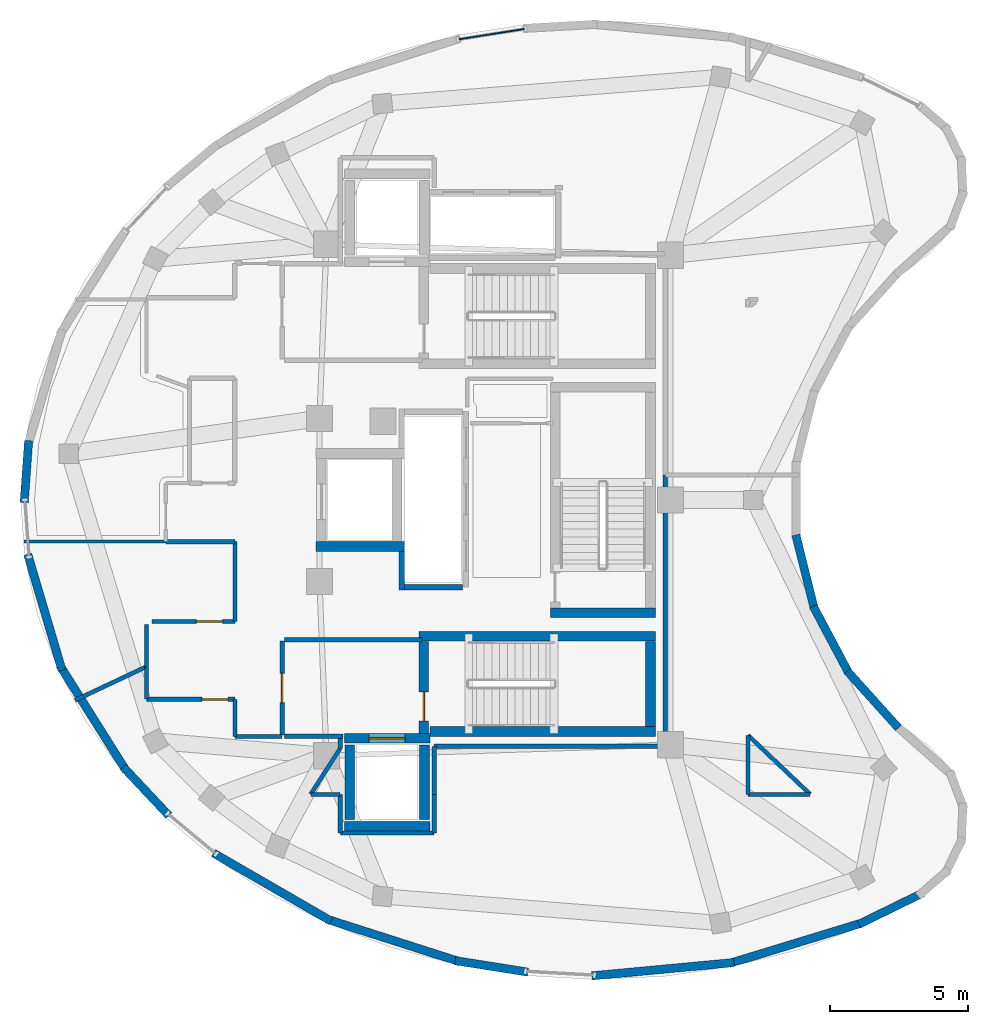
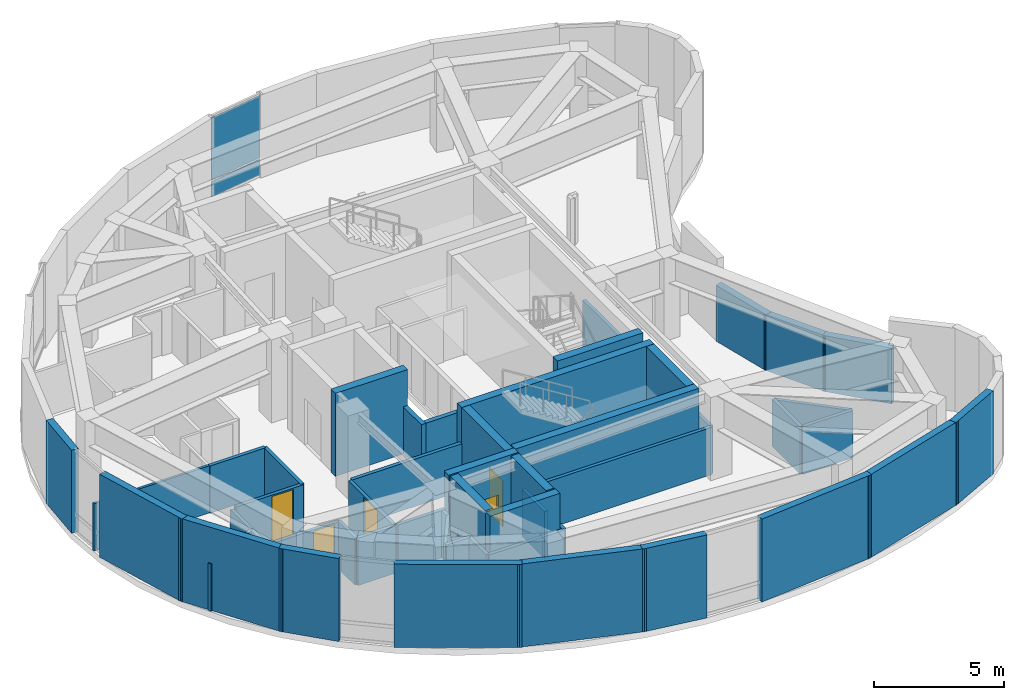
# One storey, part 3 of 6: 50 walls, 5 doors, 2 plates, 5 openings, 1 element without a shape of its own.
"""IFC4 building model written with IfcOpenShell, lengths in metres."""

from ifc_helpers import new_model, si_unit, direction, frame, frame_2d, origin, origin_2d, place, context, subcontext, project, spatial, rectangle, extrude, material, layer, layer_set, type_object, element, fill, aggregate, save


model = new_model("IFC4")

# Units and contexts
model_context = context("Model", 3, precision=1e-05, world=origin(), true_north=direction((0.0, 1.0)))
body_context = subcontext(model_context, "Body", "Model", "MODEL_VIEW")
ifc_project = project(units=[si_unit("LENGTHUNIT", "METRE"), si_unit("AREAUNIT", "SQUARE_METRE"), si_unit("VOLUMEUNIT", "CUBIC_METRE"), si_unit("PLANEANGLEUNIT", "RADIAN"), si_unit("MASSUNIT", "GRAM", prefix="KILO")], contexts=[model_context])

# Site, building, storey
site_placement = place(None, origin())
site = spatial("IfcSite", under=ifc_project, at=site_placement, CompositionType="ELEMENT")
building_placement = place(site_placement, origin())
building = spatial("IfcBuilding", under=site, at=building_placement, Name="Korentha Bioscience Tower", CompositionType="ELEMENT")
storey_placement = place(building_placement, frame((0.0, 0.0, 327.0)))
storey = spatial("IfcBuildingStorey", under=building, at=storey_placement, Name="L75", CompositionType="ELEMENT", Elevation=327.0)

# Curtain wall, plates
ifc_material_1 = material(Name="Structural Silicone Glazed Aluminium", Category="aluminium")
ifc_layer_1 = layer(ifc_material_1, 0.219970703125, Name="Structural Silicone Glazed Aluminium")
ifc_layer_set_1 = layer_set([ifc_layer_1], Name="Structural Silicone Glazed Aluminium (CW-O1)")
curtain_wall_type = type_object("IfcCurtainWallType", Name="Sky Observatory Acoustic Curtain Wall CW-O1", PredefinedType="USERDEFINED", material=ifc_layer_set_1)
curtain_wall_placement = place(storey_placement, origin())
curtain_wall = element("IfcCurtainWall", 1, at=curtain_wall_placement, inside=storey, type_object=curtain_wall_type, Name="L75 Curtain Wall 07", ObjectType="UNITISED", PredefinedType="USERDEFINED")
ifc_material_2 = material(Name="Triple-Glazed Low-E Insulated Glass", Category="glass")
ifc_layer_2 = layer(ifc_material_2, 0.0439453125, Name="Triple-Glazed Low-E Insulated Glass")
ifc_layer_set_2 = layer_set([ifc_layer_2], Name="Triple-Glazed Low-E Insulated Glass (GL-44)")
plate_type = type_object("IfcPlateType", Name="Glazed Panel 44mm", PredefinedType="CURTAIN_PANEL", material=ifc_layer_set_2)
plate_1_placement = place(storey_placement, frame((31.07666015625, 43.851318359375, 0.08984375), z_axis=(0.0, 0.0, 1.0), x_axis=(-0.987779298439, -0.155859095258, 0.0)))
plate_1 = element("IfcPlate", 2, at=plate_1_placement, type_object=plate_type, Name="CW-L75-07 Bay 1 Glazed Panel 1", PredefinedType="CURTAIN_PANEL", context=body_context, shape_type="SweptSolid", body=[
    extrude(rectangle(XDim=2.400390625, YDim=0.0439453125, at=origin_2d()), origin(), (0.0, 0.0, 1.0), 0.715087890625),
])
plate_2_placement = place(storey_placement, frame((31.07666015625, 43.851318359375, 0.89501953125), z_axis=(0.0, 0.0, 1.0), x_axis=(-0.987779298439, -0.155859095258, 0.0)))
plate_2 = element("IfcPlate", 3, at=plate_2_placement, type_object=plate_type, Name="CW-L75-07 Bay 1 Glazed Panel 2", PredefinedType="CURTAIN_PANEL", context=body_context, shape_type="SweptSolid", body=[
    extrude(rectangle(XDim=2.400390625, YDim=0.0439453125, at=origin_2d()), origin(), (0.0, 0.0, 1.0), 2.9150390625),
])
aggregate(curtain_wall, [plate_1, plate_2])

# Wall, opening, door
ifc_material_3 = material(Name="Double-Stud Acoustic Gypsum", Category="gypsum")
ifc_layer_3 = layer(ifc_material_3, 0.14990234375, Name="Double-Stud Acoustic Gypsum")
ifc_layer_set_3 = layer_set([ifc_layer_3], Name="Double-Stud Acoustic Gypsum (IW-L150)")
wall_type_1 = type_object("IfcWallType", Name="Acoustic Laboratory Partition Wall 150", PredefinedType="PARTITIONING", material=ifc_layer_set_3)
wall_1_placement = place(storey_placement, frame((21.7900390625, 22.610107421875, 0.0), z_axis=(0.0, 0.0, 1.0), x_axis=(-1.0, 0.0, 0.0)))
wall_1 = element("IfcWall", 4, at=wall_1_placement, inside=storey, type_object=wall_type_1, Name="L75 Research Colloquium Seminar Room 02 Entrance Wall", PredefinedType="PARTITIONING", context=body_context, shape_type="SweptSolid", body=[
    extrude(rectangle(XDim=2.989990234375, YDim=0.14990234375, at=frame_2d((1.4951171875, 0.0))), origin(), (0.0, 0.0, 1.0), 2.219970703125),
])
opening_1_placement = place(wall_1_placement, frame((0.44677734375, 0.0, 0.0)))
opening_1 = element("IfcOpeningElement", 5, at=opening_1_placement, cuts=wall_1, Name="Opening ID-10L", PredefinedType="OPENING", context=body_context, shape_type="SweptSolid", body=[
    extrude(rectangle(XDim=0.949951171875, YDim=2.14990234375, at=frame_2d((0.47509765625, 1.074951171875))), frame((0.0, 0.08984375, 0.0), z_axis=(0.0, -1.0, 0.0), x_axis=(1.0, 0.0, 0.0)), (0.0, 0.0, 1.0), 0.1796875),
])
ifc_material_4 = material(Name="Phenolic Laminate Timber Core", Category="wood")
door_type_1 = type_object("IfcDoorType", Name="Laboratory Single Leaf Door 950x2150 Left", OperationType="SINGLE_SWING_LEFT", PredefinedType="DOOR", material=ifc_material_4)
door_1_placement = place(opening_1_placement, origin())
door_1 = element("IfcDoor", 6, at=door_1_placement, inside=storey, type_object=door_type_1, Name="L75 Research Colloquium Seminar Room 02 Door", OperationType="SINGLE_SWING_LEFT", OverallHeight=2.14990234375, OverallWidth=0.949951171875, PredefinedType="DOOR", context=body_context, shape_type="SweptSolid", body=[
    extrude(rectangle(XDim=0.949951171875, YDim=2.14990234375, at=frame_2d((0.47509765625, 1.074951171875))), frame((0.0, 0.02490234375, 0.0), z_axis=(0.0, -1.0, 0.0), x_axis=(1.0, 0.0, 0.0)), (0.0, 0.0, 1.0), 0.050048828125),
])
fill(opening_1, door_1)

wall_2_placement = place(storey_placement, frame((18.60009765625, 19.7900390625, 0.0), z_axis=(0.0, 0.0, 1.0), x_axis=(1.0, 0.0, 0.0)))
wall_2 = element("IfcWall", 7, at=wall_2_placement, inside=storey, type_object=wall_type_1, Name="L75 Staff Pantry Kitchenette 03 Entrance Wall", PredefinedType="PARTITIONING", context=body_context, shape_type="SweptSolid", body=[
    extrude(rectangle(XDim=3.18994140625, YDim=0.14990234375, at=frame_2d((1.594970703125, 0.0))), origin(), (0.0, 0.0, 1.0), 2.219970703125),
])
opening_2_placement = place(wall_2_placement, frame((2.0, 0.0, 0.0)))
opening_2 = element("IfcOpeningElement", 8, at=opening_2_placement, cuts=wall_2, Name="Opening ID-10R", PredefinedType="OPENING", context=body_context, shape_type="SweptSolid", body=[
    extrude(rectangle(XDim=0.949951171875, YDim=2.14990234375, at=frame_2d((0.47509765625, 1.074951171875))), frame((0.0, 0.08984375, 0.0), z_axis=(0.0, -1.0, 0.0), x_axis=(1.0, 0.0, 0.0)), (0.0, 0.0, 1.0), 0.1796875),
])
door_type_2 = type_object("IfcDoorType", Name="Laboratory Single Leaf Door 950x2150 Right", OperationType="SINGLE_SWING_RIGHT", PredefinedType="DOOR", material=ifc_material_4)
door_2_placement = place(opening_2_placement, origin())
door_2 = element("IfcDoor", 9, at=door_2_placement, inside=storey, type_object=door_type_2, Name="L75 Staff Pantry Kitchenette 03 Door", OperationType="SINGLE_SWING_RIGHT", OverallHeight=2.14990234375, OverallWidth=0.949951171875, PredefinedType="DOOR", context=body_context, shape_type="SweptSolid", body=[
    extrude(rectangle(XDim=0.949951171875, YDim=2.14990234375, at=frame_2d((0.47509765625, 1.074951171875))), frame((0.0, 0.02490234375, 0.0), z_axis=(0.0, -1.0, 0.0), x_axis=(1.0, 0.0, 0.0)), (0.0, 0.0, 1.0), 0.050048828125),
])
fill(opening_2, door_2)

# Walls
wall_3_placement = place(storey_placement, frame((19.300048828125, 25.489990234375, 0.0), z_axis=(0.0, 0.0, 1.0), x_axis=(1.0, 0.0, 0.0)))
element("IfcWall", 10, at=wall_3_placement, inside=storey, type_object=wall_type_1, Name="L75 Interior Partition 018", PredefinedType="PARTITIONING", context=body_context, shape_type="SweptSolid", body=[
    extrude(rectangle(XDim=2.489990234375, YDim=0.14990234375, at=frame_2d((1.2451171875, 0.0))), origin(), (0.0, 0.0, 1.0), 2.219970703125),
])
wall_4_placement = place(storey_placement, frame((21.7900390625, 25.489990234375, 0.0), z_axis=(0.0, 0.0, 1.0), x_axis=(0.0, -1.0, 0.0)))
element("IfcWall", 11, at=wall_4_placement, inside=storey, type_object=wall_type_1, Name="L75 Interior Partition 019", PredefinedType="PARTITIONING", context=body_context, shape_type="SweptSolid", body=[
    extrude(rectangle(XDim=2.8798828125, YDim=0.14990234375, at=frame_2d((1.43994140625, 0.0))), origin(), (0.0, 0.0, 1.0), 2.219970703125),
])
wall_5_placement = place(storey_placement, frame((18.590087890625, 22.5, 0.0), z_axis=(0.0, 0.0, 1.0), x_axis=(0.0, -1.0, 0.0)))
element("IfcWall", 12, at=wall_5_placement, inside=storey, type_object=wall_type_1, Name="L75 Interior Partition 020", PredefinedType="PARTITIONING", context=body_context, shape_type="SweptSolid", body=[
    extrude(rectangle(XDim=1.52783203125, YDim=0.14990234375, at=frame_2d((0.763916015625, 0.0))), origin(), (0.0, 0.0, 1.0), 2.219970703125),
])
wall_6_placement = place(storey_placement, frame((18.590087890625, 20.97216796875, 0.0), z_axis=(0.0, 0.0, 1.0), x_axis=(-0.904490755002, -0.426493228687, 0.0)))
element("IfcWall", 13, at=wall_6_placement, inside=storey, type_object=wall_type_1, Name="L75 Interior Partition 021", PredefinedType="PARTITIONING", context=body_context, shape_type="SweptSolid", body=[
    extrude(rectangle(XDim=2.853515625, YDim=0.14990234375, at=frame_2d((1.4267578125, 0.0))), origin(), (0.0, 0.0, 1.0), 2.219970703125),
])
wall_7_placement = place(storey_placement, frame((25.60009765625, 18.366943359375, 0.0), z_axis=(0.0, 0.0, 1.0), x_axis=(0.0, -1.0, 0.0)))
element("IfcWall", 14, at=wall_7_placement, inside=storey, type_object=wall_type_1, Name="L75 Interior Partition 022", PredefinedType="PARTITIONING", context=body_context, shape_type="SweptSolid", body=[
    extrude(rectangle(XDim=0.3515625, YDim=0.14990234375, at=frame_2d((0.17578125, 0.0))), origin(), (0.0, 0.0, 1.0), 2.219970703125),
])
wall_8_placement = place(storey_placement, frame((25.599853515625, 18.01513671875, 0.0), z_axis=(0.0, 0.0, 1.0), x_axis=(-0.540901303045, -0.841086071912, 0.0)))
element("IfcWall", 15, at=wall_8_placement, inside=storey, type_object=wall_type_1, Name="L75 Interior Partition 023", PredefinedType="PARTITIONING", context=body_context, shape_type="SweptSolid", body=[
    extrude(rectangle(XDim=1.974609375, YDim=0.14990234375, at=frame_2d((0.9873046875, 0.0))), origin(), (0.0, 0.0, 1.0), 2.219970703125),
])
wall_9_placement = place(storey_placement, frame((24.53515625, 16.347900390625, 0.0), z_axis=(0.0, 0.0, 1.0), x_axis=(1.0, 0.0, 0.0)))
element("IfcWall", 16, at=wall_9_placement, inside=storey, type_object=wall_type_1, Name="L75 Interior Partition 024", PredefinedType="PARTITIONING", context=body_context, shape_type="SweptSolid", body=[
    extrude(rectangle(XDim=1.064697265625, YDim=0.14990234375, at=frame_2d((0.5322265625, 0.0))), origin(), (0.0, 0.0, 1.0), 2.219970703125),
])
wall_10_placement = place(storey_placement, frame((25.60009765625, 16.347900390625, 0.0), z_axis=(0.0, 0.0, 1.0), x_axis=(0.0, -1.0, 0.0)))
element("IfcWall", 17, at=wall_10_placement, inside=storey, type_object=wall_type_1, Name="L75 Interior Partition 025", PredefinedType="PARTITIONING", context=body_context, shape_type="SweptSolid", body=[
    extrude(rectangle(XDim=1.393798828125, YDim=0.14990234375, at=frame_2d((0.69677734375, 0.0))), origin(), (0.0, 0.0, 1.0), 2.219970703125),
])
wall_11_placement = place(storey_placement, frame((25.60400390625, 14.949951171875, 0.0), z_axis=(0.0, 0.0, 1.0), x_axis=(1.0, 0.0, 0.0)))
element("IfcWall", 18, at=wall_11_placement, inside=storey, type_object=wall_type_1, Name="L75 Interior Partition 026", PredefinedType="PARTITIONING", context=body_context, shape_type="SweptSolid", body=[
    extrude(rectangle(XDim=3.391845703125, YDim=0.14990234375, at=frame_2d((1.69580078125, 0.0))), origin(), (0.0, 0.0, 1.0), 2.219970703125),
])
wall_12_placement = place(storey_placement, frame((29.0, 14.9541015625, 0.0), z_axis=(0.0, 0.0, 1.0), x_axis=(0.0, 1.0, 0.0)))
element("IfcWall", 19, at=wall_12_placement, inside=storey, type_object=wall_type_1, Name="L75 Interior Partition 027", PredefinedType="PARTITIONING", context=body_context, shape_type="SweptSolid", body=[
    extrude(rectangle(XDim=1.393798828125, YDim=0.14990234375, at=frame_2d((0.69677734375, 0.0))), origin(), (0.0, 0.0, 1.0), 2.219970703125),
])
wall_13_placement = place(storey_placement, frame((29.0, 16.352294921875, 0.0), z_axis=(0.0, 0.0, 1.0), x_axis=(0.0, 1.0, 0.0)))
element("IfcWall", 20, at=wall_13_placement, inside=storey, type_object=wall_type_1, Name="L75 Interior Partition 028", PredefinedType="PARTITIONING", context=body_context, shape_type="SweptSolid", body=[
    extrude(rectangle(XDim=1.73779296875, YDim=0.14990234375, at=frame_2d((0.868896484375, 0.0))), origin(), (0.0, 0.0, 1.0), 2.219970703125),
])
wall_14_placement = place(storey_placement, frame((29.0, 18.090087890625, 0.0), z_axis=(0.0, 0.0, 1.0), x_axis=(1.0, 0.0, 0.0)))
element("IfcWall", 21, at=wall_14_placement, inside=storey, type_object=wall_type_1, Name="L75 Interior Partition 029", PredefinedType="PARTITIONING", context=body_context, shape_type="SweptSolid", body=[
    extrude(rectangle(XDim=8.35009765625, YDim=0.14990234375, at=frame_2d((4.175048828125, 0.0))), origin(), (0.0, 0.0, 1.0), 2.219970703125),
])
wall_15_placement = place(storey_placement, frame((37.360107421875, 18.10009765625, 0.0), z_axis=(0.0, 0.0, 1.0), x_axis=(0.0, 1.0, 0.0)))
element("IfcWall", 22, at=wall_15_placement, inside=storey, type_object=wall_type_1, Name="L75 Interior Partition 030", PredefinedType="PARTITIONING", context=body_context, shape_type="SweptSolid", body=[
    extrude(rectangle(XDim=9.7978515625, YDim=0.14990234375, at=frame_2d((4.89892578125, 0.0))), origin(), (0.0, 0.0, 1.0), 2.219970703125),
])
wall_16_placement = place(storey_placement, frame((18.590087890625, 20.9609375, 0.0), z_axis=(0.0, 0.0, 1.0), x_axis=(0.0, -1.0, 0.0)))
element("IfcWall", 23, at=wall_16_placement, inside=storey, type_object=wall_type_1, Name="L75 Interior Partition 033", PredefinedType="PARTITIONING", context=body_context, shape_type="SweptSolid", body=[
    extrude(rectangle(XDim=1.160888671875, YDim=0.14990234375, at=frame_2d((0.58056640625, 0.0))), origin(), (0.0, 0.0, 1.0), 2.219970703125),
])
wall_17_placement = place(storey_placement, frame((21.7900390625, 19.7900390625, 0.0), z_axis=(0.0, 0.0, 1.0), x_axis=(0.0, -1.0, 0.0)))
element("IfcWall", 24, at=wall_17_placement, inside=storey, type_object=wall_type_1, Name="L75 Interior Partition 034", PredefinedType="PARTITIONING", context=body_context, shape_type="SweptSolid", body=[
    extrude(rectangle(XDim=1.340087890625, YDim=0.14990234375, at=frame_2d((0.669921875, 0.0))), origin(), (0.0, 0.0, 1.0), 2.219970703125),
])
wall_18_placement = place(storey_placement, frame((21.800048828125, 18.43994140625, 0.0), z_axis=(0.0, 0.0, 1.0), x_axis=(1.0, 0.0, 0.0)))
element("IfcWall", 25, at=wall_18_placement, inside=storey, type_object=wall_type_1, Name="L75 Interior Partition 035", PredefinedType="PARTITIONING", context=body_context, shape_type="SweptSolid", body=[
    extrude(rectangle(XDim=1.68994140625, YDim=0.14990234375, at=frame_2d((0.844970703125, 0.0))), origin(), (0.0, 0.0, 1.0), 2.219970703125),
])
wall_19_placement = place(storey_placement, frame((40.352294921875, 16.347900390625, 0.0), z_axis=(0.0, 0.0, 1.0), x_axis=(1.0, 0.0, 0.0)))
element("IfcWall", 26, at=wall_19_placement, inside=storey, type_object=wall_type_1, Name="L75 Interior Partition 036", PredefinedType="PARTITIONING", context=body_context, shape_type="SweptSolid", body=[
    extrude(rectangle(XDim=2.2451171875, YDim=0.14990234375, at=frame_2d((1.12255859375, 0.0))), origin(), (0.0, 0.0, 1.0), 2.219970703125),
])
wall_20_placement = place(storey_placement, frame((42.600341796875, 16.35498046875, 0.0), z_axis=(0.0, 0.0, 1.0), x_axis=(-0.725397055843, 0.688330670081, 0.0)))
element("IfcWall", 27, at=wall_20_placement, inside=storey, type_object=wall_type_1, Name="L75 Interior Partition 037", PredefinedType="PARTITIONING", context=body_context, shape_type="SweptSolid", body=[
    extrude(rectangle(XDim=3.095703125, YDim=0.14990234375, at=frame_2d((1.5478515625, 0.0))), origin(), (0.0, 0.0, 1.0), 2.219970703125),
])
wall_21_placement = place(storey_placement, frame((40.347900390625, 18.48291015625, 0.0), z_axis=(0.0, 0.0, 1.0), x_axis=(0.0, -1.0, 0.0)))
element("IfcWall", 28, at=wall_21_placement, inside=storey, type_object=wall_type_1, Name="L75 Interior Partition 038", PredefinedType="PARTITIONING", context=body_context, shape_type="SweptSolid", body=[
    extrude(rectangle(XDim=2.130615234375, YDim=0.14990234375, at=frame_2d((1.0654296875, 0.0))), origin(), (0.0, 0.0, 1.0), 2.219970703125),
])
ifc_material_5 = material(Name="Fire-Rated Framed Glass", Category="glass")
ifc_layer_4 = layer(ifc_material_5, 0.110107421875, Name="Fire-Rated Framed Glass")
ifc_layer_set_4 = layer_set([ifc_layer_4], Name="Fire-Rated Framed Glass (IW-G110)")
wall_type_2 = type_object("IfcWallType", Name="Demountable Glazed Office Partition 110", PredefinedType="MOVABLE", material=ifc_layer_set_4)
wall_22_placement = place(storey_placement, frame((19.2900390625, 25.5029296875, 0.0), z_axis=(0.0, 0.0, 1.0), x_axis=(-1.0, 0.0, 0.0)))
element("IfcWall", 29, at=wall_22_placement, inside=storey, type_object=wall_type_2, Name="L75 Interior Partition 017", PredefinedType="MOVABLE", context=body_context, shape_type="SweptSolid", body=[
    extrude(rectangle(XDim=5.12744140625, YDim=0.110107421875, at=frame_2d((2.563720703125, 0.0))), origin(), (0.0, 0.0, 1.0), 2.219970703125),
])

# Wall, opening, door
ifc_material_6 = material(Name="Gypsum-Clad Steel Stud", Category="steel")
ifc_layer_5 = layer(ifc_material_6, 0.159912109375, Name="Gypsum-Clad Steel Stud")
ifc_layer_set_5 = layer_set([ifc_layer_5], Name="Gypsum-Clad Steel Stud (IW-C160)")
wall_type_3 = type_object("IfcWallType", Name="Fire-Rated Corridor Partition Wall 160", PredefinedType="PARTITIONING", material=ifc_layer_set_5)
wall_23_placement = place(storey_placement, frame((23.5, 18.5, 0.0), z_axis=(0.0, 0.0, 1.0), x_axis=(0.0, 1.0, 0.0)))
wall_23 = element("IfcWall", 30, at=wall_23_placement, inside=storey, type_object=wall_type_3, Name="L75 FFLS-CW Rated Enclosure Wall", PredefinedType="PARTITIONING", context=body_context, shape_type="SweptSolid", body=[
    extrude(rectangle(XDim=3.39990234375, YDim=0.159912109375, at=frame_2d((1.699951171875, 0.0))), origin(), (0.0, 0.0, 1.0), 2.219970703125),
])
opening_3_placement = place(wall_23_placement, frame((1.175048828125, 0.0, 0.0)))
opening_3 = element("IfcOpeningElement", 31, at=opening_3_placement, cuts=wall_23, Name="Opening FD-90R", PredefinedType="OPENING", context=body_context, shape_type="SweptSolid", body=[
    extrude(rectangle(XDim=1.050048828125, YDim=2.14990234375, at=frame_2d((0.52490234375, 1.074951171875))), frame((0.0, 0.0947265625, 0.0), z_axis=(0.0, -1.0, 0.0), x_axis=(1.0, 0.0, 0.0)), (0.0, 0.0, 1.0), 0.189697265625),
])
ifc_material_7 = material(Name="Powder-Coated Fire-Rated Steel", Category="steel")
door_type_3 = type_object("IfcDoorType", Name="Stairwell Fire Exit Door 1050x2150 Right", OperationType="SINGLE_SWING_RIGHT", PredefinedType="DOOR", material=ifc_material_7)
door_3_placement = place(opening_3_placement, origin())
door_3 = element("IfcDoor", 32, at=door_3_placement, inside=storey, type_object=door_type_3, Name="L75 South Firefighting Lobby Door", OperationType="SINGLE_SWING_RIGHT", OverallHeight=2.14990234375, OverallWidth=1.050048828125, PredefinedType="DOOR", context=body_context, shape_type="SweptSolid", body=[
    extrude(rectangle(XDim=1.050048828125, YDim=2.14990234375, at=frame_2d((0.52490234375, 1.074951171875))), frame((0.0, 0.02490234375, 0.0), z_axis=(0.0, -1.0, 0.0), x_axis=(1.0, 0.0, 0.0)), (0.0, 0.0, 1.0), 0.050048828125),
])
fill(opening_3, door_3)

# Walls
wall_24_placement = place(storey_placement, frame((23.580078125, 21.949951171875, 0.0), z_axis=(0.0, 0.0, 1.0), x_axis=(1.0, 0.0, 0.0)))
element("IfcWall", 33, at=wall_24_placement, inside=storey, type_object=wall_type_3, Name="L75 Firefighting Lobby Return Wall FFLS-N", PredefinedType="PARTITIONING", context=body_context, shape_type="SweptSolid", body=[
    extrude(rectangle(XDim=4.969970703125, YDim=0.159912109375, at=frame_2d((2.48486328125, 0.0))), origin(), (0.0, 0.0, 1.0), 2.219970703125),
])
wall_25_placement = place(storey_placement, frame((23.580078125, 18.449951171875, 0.0), z_axis=(0.0, 0.0, 1.0), x_axis=(1.0, 0.0, 0.0)))
element("IfcWall", 34, at=wall_25_placement, inside=storey, type_object=wall_type_3, Name="L75 Firefighting Lobby Return Wall FFLS-S", PredefinedType="PARTITIONING", context=body_context, shape_type="SweptSolid", body=[
    extrude(rectangle(XDim=2.119873046875, YDim=0.159912109375, at=frame_2d((1.06005859375, 0.0))), origin(), (0.0, 0.0, 1.0), 2.219970703125),
])
ifc_material_8 = material(Name="Honed Limestone Precast Concrete C40", Category="masonry")
ifc_layer_6 = layer(ifc_material_8, 0.300048828125, Name="Honed Limestone Precast Concrete C40")
ifc_layer_set_6 = layer_set([ifc_layer_6], Name="Honed Limestone Precast Concrete C40 (EW-ST300)")
wall_type_4 = type_object("IfcWallType", Name="Honed Limestone Cavity Spandrel Wall 300", PredefinedType="STANDARD", material=ifc_layer_set_6)
wall_26_placement = place(storey_placement, frame((14.32958984375, 29.150146484375, 0.0), z_axis=(0.0, 0.0, 1.0), x_axis=(-0.072398070171, -0.997375816548, 0.0)))
element("IfcWall", 35, at=wall_26_placement, inside=storey, type_object=wall_type_4, Name="L75 Limestone Perimeter Closure Wall 18", PredefinedType="STANDARD", context=body_context, shape_type="SweptSolid", body=[
    extrude(rectangle(XDim=2.245849609375, YDim=0.300048828125, at=frame_2d((1.123046875, 0.0))), origin(), (0.0, 0.0, 1.0), 3.89990234375),
])
wall_27_placement = place(storey_placement, frame((14.2958984375, 25.035888671875, 0.0), z_axis=(0.0, 0.0, 1.0), x_axis=(0.28362844186, -0.958934255811, 0.0)))
element("IfcWall", 36, at=wall_27_placement, inside=storey, type_object=wall_type_4, Name="L75 Limestone Perimeter Closure Wall 20", PredefinedType="STANDARD", context=body_context, shape_type="SweptSolid", body=[
    extrude(rectangle(XDim=4.37451171875, YDim=0.300048828125, at=frame_2d((2.187255859375, 0.0))), origin(), (0.0, 0.0, 1.0), 3.89990234375),
])
wall_28_placement = place(storey_placement, frame((15.45556640625, 21.0205078125, 0.0), z_axis=(0.0, 0.0, 1.0), x_axis=(0.532667112983, -0.846324847057, 0.0)))
element("IfcWall", 37, at=wall_28_placement, inside=storey, type_object=wall_type_4, Name="L75 Limestone Perimeter Closure Wall 22", PredefinedType="STANDARD", context=body_context, shape_type="SweptSolid", body=[
    extrude(rectangle(XDim=4.519287109375, YDim=0.300048828125, at=frame_2d((2.259765625, 0.0))), origin(), (0.0, 0.0, 1.0), 3.89990234375),
])
wall_29_placement = place(storey_placement, frame((17.7490234375, 17.343017578125, 0.0), z_axis=(0.0, 0.0, 1.0), x_axis=(0.684421657723, -0.729086410818, 0.0)))
element("IfcWall", 38, at=wall_29_placement, inside=storey, type_object=wall_type_4, Name="L75 Limestone Perimeter Closure Wall 24", PredefinedType="STANDARD", context=body_context, shape_type="SweptSolid", body=[
    extrude(rectangle(XDim=2.416015625, YDim=0.300048828125, at=frame_2d((1.2080078125, 0.0))), origin(), (0.0, 0.0, 1.0), 3.89990234375),
])
wall_30_placement = place(storey_placement, frame((21.017578125, 14.2255859375, 0.0), z_axis=(0.0, 0.0, 1.0), x_axis=(0.865775178968, -0.500433151863, 0.0)))
element("IfcWall", 39, at=wall_30_placement, inside=storey, type_object=wall_type_4, Name="L75 Limestone Perimeter Closure Wall 26", PredefinedType="STANDARD", context=body_context, shape_type="SweptSolid", body=[
    extrude(rectangle(XDim=4.915771484375, YDim=0.300048828125, at=frame_2d((2.4580078125, 0.0))), origin(), (0.0, 0.0, 1.0), 3.89990234375),
])
wall_31_placement = place(storey_placement, frame((25.1005859375, 11.842041015625, 0.0), z_axis=(0.0, 0.0, 1.0), x_axis=(0.952418563318, -0.304793176183, 0.0)))
element("IfcWall", 40, at=wall_31_placement, inside=storey, type_object=wall_type_4, Name="L75 Limestone Perimeter Closure Wall 28", PredefinedType="STANDARD", context=body_context, shape_type="SweptSolid", body=[
    extrude(rectangle(XDim=5.07666015625, YDim=0.300048828125, at=frame_2d((2.538330078125, 0.0))), origin(), (0.0, 0.0, 1.0), 3.89990234375),
])
wall_32_placement = place(storey_placement, frame((29.759521484375, 10.33642578125, 0.0), z_axis=(0.0, 0.0, 1.0), x_axis=(0.987773378884, -0.155896606663, 0.0)))
element("IfcWall", 41, at=wall_32_placement, inside=storey, type_object=wall_type_4, Name="L75 Limestone Perimeter Closure Wall 30", PredefinedType="STANDARD", context=body_context, shape_type="SweptSolid", body=[
    extrude(rectangle(XDim=2.66064453125, YDim=0.300048828125, at=frame_2d((1.330322265625, 0.0))), origin(), (0.0, 0.0, 1.0), 3.89990234375),
])
wall_33_placement = place(storey_placement, frame((34.70263671875, 9.786376953125, 0.0), z_axis=(0.0, 0.0, 1.0), x_axis=(0.995644917658, 0.093226594605, 0.0)))
element("IfcWall", 42, at=wall_33_placement, inside=storey, type_object=wall_type_4, Name="L75 Limestone Perimeter Closure Wall 32", PredefinedType="STANDARD", context=body_context, shape_type="SweptSolid", body=[
    extrude(rectangle(XDim=5.16943359375, YDim=0.300048828125, at=frame_2d((2.584716796875, 0.0))), origin(), (0.0, 0.0, 1.0), 3.89990234375),
])
wall_34_placement = place(storey_placement, frame((39.665771484375, 10.232177734375, 0.0), z_axis=(0.0, 0.0, 1.0), x_axis=(0.956396659888, 0.292070931377, 0.0)))
element("IfcWall", 43, at=wall_34_placement, inside=storey, type_object=wall_type_4, Name="L75 Limestone Perimeter Closure Wall 34", PredefinedType="STANDARD", context=body_context, shape_type="SweptSolid", body=[
    extrude(rectangle(XDim=5.084716796875, YDim=0.300048828125, at=frame_2d((2.54248046875, 0.0))), origin(), (0.0, 0.0, 1.0), 3.89990234375),
])
wall_35_placement = place(storey_placement, frame((44.35986328125, 11.650390625, 0.0), z_axis=(0.0, 0.0, 1.0), x_axis=(0.898175231678, 0.439637638515, 0.0)))
element("IfcWall", 44, at=wall_35_placement, inside=storey, type_object=wall_type_4, Name="L75 Limestone Perimeter Closure Wall 36", PredefinedType="STANDARD", context=body_context, shape_type="SweptSolid", body=[
    extrude(rectangle(XDim=2.570556640625, YDim=0.300048828125, at=frame_2d((1.28515625, 0.0))), origin(), (0.0, 0.0, 1.0), 3.89990234375),
])
for number, where, z_axis, x_axis, name in (
    (45, (45.798095703125, 18.7509765625, 0.0), (0.0, 0.0, 1.0), (-0.669139714478, 0.743136624389, 0.0), "L75 Limestone Perimeter Closure Wall 43"),
    (46, (44.012939453125, 20.710693359375, 0.0), (0.0, 0.0, 1.0), (-0.469423260296, 0.882973274053, 0.0), "L75 Limestone Perimeter Closure Wall 45"),
    (47, (42.755126953125, 23.044189453125, 0.0), (0.0, 0.0, 1.0), (-0.241873086834, 0.970307894364, 0.0), "L75 Limestone Perimeter Closure Wall 47"),
):
    element("IfcWall", number, at=place(storey_placement, frame(where, z_axis=z_axis, x_axis=x_axis)), inside=storey, type_object=wall_type_4, Name=name, PredefinedType="STANDARD", context=body_context, shape_type="SweptSolid", body=[
        extrude(rectangle(XDim=2.774658203125, YDim=0.300048828125, at=frame_2d((1.38720703125, 0.0))), origin(), (0.0, 0.0, 1.0), 2.625),
    ])
ifc_material_9 = material(Name="Autoclaved Aerated Concrete Block C25", Category="concrete")
ifc_layer_7 = layer(ifc_material_9, 0.199951171875, Name="Autoclaved Aerated Concrete Block C25")
ifc_layer_set_7 = layer_set([ifc_layer_7], Name="Autoclaved Aerated Concrete Block C25 (IW-S200)")
wall_type_5 = type_object("IfcWallType", Name="Lift and Riser Shaft Enclosure Wall 200", PredefinedType="PARTITIONING", material=ifc_layer_set_7)
wall_36_placement = place(storey_placement, frame((27.830078125, 23.75, 0.0), z_axis=(0.0, 0.0, 1.0), x_axis=(0.0, 1.0, 0.0)))
element("IfcWall", 48, at=wall_36_placement, inside=storey, type_object=wall_type_5, Name="L75 Lift Bank HIGH Shaft Wall -XS", PredefinedType="PARTITIONING", context=body_context, shape_type="SweptSolid", body=[
    extrude(rectangle(XDim=1.39111328125, YDim=0.199951171875, at=frame_2d((0.695556640625, 0.0))), origin(), (0.0, 0.0, 1.0), 2.219970703125),
])
wall_37_placement = place(storey_placement, frame((27.93408203125, 23.85009765625, 0.0), z_axis=(0.0, 0.0, 1.0), x_axis=(1.0, 0.0, 0.0)))
element("IfcWall", 49, at=wall_37_placement, inside=storey, type_object=wall_type_5, Name="L75 Lift Bank HIGH Shaft Wall -Y", PredefinedType="PARTITIONING", context=body_context, shape_type="SweptSolid", body=[
    extrude(rectangle(XDim=2.095947265625, YDim=0.199951171875, at=frame_2d((1.0478515625, 0.0))), origin(), (0.0, 0.0, 1.0), 2.219970703125),
])
ifc_material_10 = material(Name="Concrete C50", Category="concrete")
ifc_layer_8 = layer(ifc_material_10, 0.35009765625, Name="Concrete C50")
ifc_layer_set_8 = layer_set([ifc_layer_8], Name="Concrete C50 (CW-C50)")
wall_type_6 = type_object("IfcWallType", Name="Upper Core Shear Wall 350", PredefinedType="SHEAR", material=ifc_layer_set_8)
wall_38_placement = place(storey_placement, frame((28.85205078125, 18.625, 0.0), z_axis=(0.0, 0.0, 1.0), x_axis=(1.0, 0.0, 0.0)))
element("IfcWall", 50, at=wall_38_placement, inside=storey, type_object=wall_type_6, Name="L75 Core Shear Wall ST2-S", PredefinedType="SHEAR", context=body_context, shape_type="SweptSolid", body=[
    extrude(rectangle(XDim=8.14794921875, YDim=0.35009765625, at=frame_2d((4.073974609375, 0.0))), origin(), (0.0, 0.0, 1.0), 3.89990234375),
])
wall_39_placement = place(storey_placement, frame((28.449951171875, 22.074951171875, 0.0), z_axis=(0.0, 0.0, 1.0), x_axis=(1.0, 0.0, 0.0)))
element("IfcWall", 51, at=wall_39_placement, inside=storey, type_object=wall_type_6, Name="L75 Core Shear Wall ST2-N", PredefinedType="SHEAR", context=body_context, shape_type="SweptSolid", body=[
    extrude(rectangle(XDim=8.550048828125, YDim=0.35009765625, at=frame_2d((4.27490234375, 0.0))), origin(), (0.0, 0.0, 1.0), 3.89990234375),
])
wall_40_placement = place(storey_placement, frame((36.824951171875, 18.81005859375, 0.0), z_axis=(0.0, 0.0, 1.0), x_axis=(0.0, 1.0, 0.0)))
element("IfcWall", 52, at=wall_40_placement, inside=storey, type_object=wall_type_6, Name="L75 Core Shear Wall ST2-E", PredefinedType="SHEAR", context=body_context, shape_type="SweptSolid", body=[
    extrude(rectangle(XDim=3.079833984375, YDim=0.35009765625, at=frame_2d((1.5400390625, 0.0))), origin(), (0.0, 0.0, 1.0), 3.89990234375),
])

# Wall, opening, door
wall_41_placement = place(storey_placement, frame((28.625, 18.556884765625, 0.0), z_axis=(0.0, 0.0, 1.0), x_axis=(0.0, 1.0, 0.0)))
wall_41 = element("IfcWall", 53, at=wall_41_placement, inside=storey, type_object=wall_type_6, Name="L75 Core Shear Wall ST2-W", PredefinedType="SHEAR", context=body_context, shape_type="SweptSolid", body=[
    extrude(rectangle(XDim=3.3330078125, YDim=0.35009765625, at=frame_2d((1.66650390625, 0.0))), origin(), (0.0, 0.0, 1.0), 3.89990234375),
])
opening_4_placement = place(wall_41_placement, frame((0.452880859375, 0.0, 0.0)))
opening_4 = element("IfcOpeningElement", 54, at=opening_4_placement, cuts=wall_41, Name="Opening FD-90R", PredefinedType="OPENING", context=body_context, shape_type="SweptSolid", body=[
    extrude(rectangle(XDim=1.050048828125, YDim=2.14990234375, at=frame_2d((0.52490234375, 1.074951171875))), frame((0.0, 0.18994140625, 0.0), z_axis=(0.0, -1.0, 0.0), x_axis=(1.0, 0.0, 0.0)), (0.0, 0.0, 1.0), 0.3798828125),
])
door_4_placement = place(opening_4_placement, origin())
door_4 = element("IfcDoor", 55, at=door_4_placement, inside=storey, type_object=door_type_3, Name="L75 ST-2 Fire Exit Stair Door", OperationType="SINGLE_SWING_RIGHT", OverallHeight=2.14990234375, OverallWidth=1.050048828125, PredefinedType="DOOR", context=body_context, shape_type="SweptSolid", body=[
    extrude(rectangle(XDim=1.050048828125, YDim=2.14990234375, at=frame_2d((0.52490234375, 1.074951171875))), frame((0.0, 0.02490234375, 0.0), z_axis=(0.0, -1.0, 0.0), x_axis=(1.0, 0.0, 0.0)), (0.0, 0.0, 1.0), 0.050048828125),
])
fill(opening_4, door_4)

# Walls
wall_42_placement = place(storey_placement, frame((33.199951171875, 22.925048828125, 0.0), z_axis=(0.0, 0.0, 1.0), x_axis=(1.0, 0.0, 0.0)))
element("IfcWall", 56, at=wall_42_placement, inside=storey, type_object=wall_type_6, Name="L75 Core Shear Wall ST3-S", PredefinedType="SHEAR", context=body_context, shape_type="SweptSolid", body=[
    extrude(rectangle(XDim=3.800048828125, YDim=0.35009765625, at=frame_2d((1.89990234375, 0.0))), origin(), (0.0, 0.0, 1.0), 3.89990234375),
])
wall_43_placement = place(storey_placement, frame((25.75, 15.199951171875, 0.0), z_axis=(0.0, 0.0, 1.0), x_axis=(1.0, 0.0, 0.0)))
element("IfcWall", 57, at=wall_43_placement, inside=storey, type_object=wall_type_6, Name="L75 Core Shear Wall FFL1-S", PredefinedType="SHEAR", context=body_context, shape_type="SweptSolid", body=[
    extrude(rectangle(XDim=3.10009765625, YDim=0.35009765625, at=frame_2d((1.550048828125, 0.0))), origin(), (0.0, 0.0, 1.0), 3.89990234375),
])

# Wall, opening, door
wall_44_placement = place(storey_placement, frame((25.75, 18.3798828125, 0.0), z_axis=(0.0, 0.0, 1.0), x_axis=(1.0, 0.0, 0.0)))
wall_44 = element("IfcWall", 58, at=wall_44_placement, inside=storey, type_object=wall_type_6, Name="L75 Core Shear Wall FFL1-N", PredefinedType="SHEAR", context=body_context, shape_type="SweptSolid", body=[
    extrude(rectangle(XDim=3.10009765625, YDim=0.35009765625, at=frame_2d((1.550048828125, 0.0))), origin(), (0.0, 0.0, 1.0), 3.89990234375),
])
opening_5_placement = place(wall_44_placement, frame((0.89990234375, 0.0, 0.0)))
opening_5 = element("IfcOpeningElement", 59, at=opening_5_placement, cuts=wall_44, Name="Opening LD-13", PredefinedType="OPENING", context=body_context, shape_type="SweptSolid", body=[
    extrude(rectangle(XDim=1.300048828125, YDim=2.199951171875, at=frame_2d((0.64990234375, 1.10009765625))), frame((0.0, 0.18994140625, 0.0), z_axis=(0.0, -1.0, 0.0), x_axis=(1.0, 0.0, 0.0)), (0.0, 0.0, 1.0), 0.3798828125),
])
ifc_material_11 = material(Name="Brushed Stainless Steel 316", Category="steel")
door_type_4 = type_object("IfcDoorType", Name="Service & Firefighting Lift Landing Door 1300x2300", OperationType="DOUBLE_DOOR_SLIDING", PredefinedType="DOOR", material=ifc_material_11)
door_5_placement = place(opening_5_placement, origin())
door_5 = element("IfcDoor", 60, at=door_5_placement, inside=storey, type_object=door_type_4, Name="L75 FFL-1 Sliding Lift Landing Door", OperationType="DOUBLE_DOOR_SLIDING", OverallHeight=2.199951171875, OverallWidth=1.300048828125, PredefinedType="DOOR", context=body_context, shape_type="SweptSolid", body=[
    extrude(rectangle(XDim=1.300048828125, YDim=2.199951171875, at=frame_2d((0.64990234375, 1.10009765625))), frame((0.0, 0.02490234375, 0.0), z_axis=(0.0, -1.0, 0.0), x_axis=(1.0, 0.0, 0.0)), (0.0, 0.0, 1.0), 0.050048828125),
])
fill(opening_5, door_5)

# Walls
for number, where, z_axis, x_axis, name in (
    (61, (25.949951171875, 15.43994140625, 0.0), (0.0, 0.0, 1.0), (0.0, 1.0, 0.0), "L75 Core Shear Wall FFL1-W"),
    (62, (28.64990234375, 15.43994140625, 0.0), (0.0, 0.0, 1.0), (0.0, 1.0, 0.0), "L75 Core Shear Wall FFL1-E"),
):
    element("IfcWall", number, at=place(storey_placement, frame(where, z_axis=z_axis, x_axis=x_axis)), inside=storey, type_object=wall_type_6, Name=name, PredefinedType="SHEAR", context=body_context, shape_type="SweptSolid", body=[
        extrude(rectangle(XDim=2.699951171875, YDim=0.35009765625, at=frame_2d((1.35009765625, 0.0))), origin(), (0.0, 0.0, 1.0), 3.89990234375),
    ])
wall_45_placement = place(storey_placement, frame((24.719970703125, 25.320068359375, 0.0), z_axis=(0.0, 0.0, 1.0), x_axis=(1.0, 0.0, 0.0)))
element("IfcWall", 63, at=wall_45_placement, inside=storey, type_object=wall_type_6, Name="L75 Core Shear Wall SVL1-S", PredefinedType="SHEAR", context=body_context, shape_type="SweptSolid", body=[
    extrude(rectangle(XDim=3.2099609375, YDim=0.35009765625, at=frame_2d((1.60498046875, 0.0))), origin(), (0.0, 0.0, 1.0), 3.89990234375),
])

save(model, "model.ifc")
